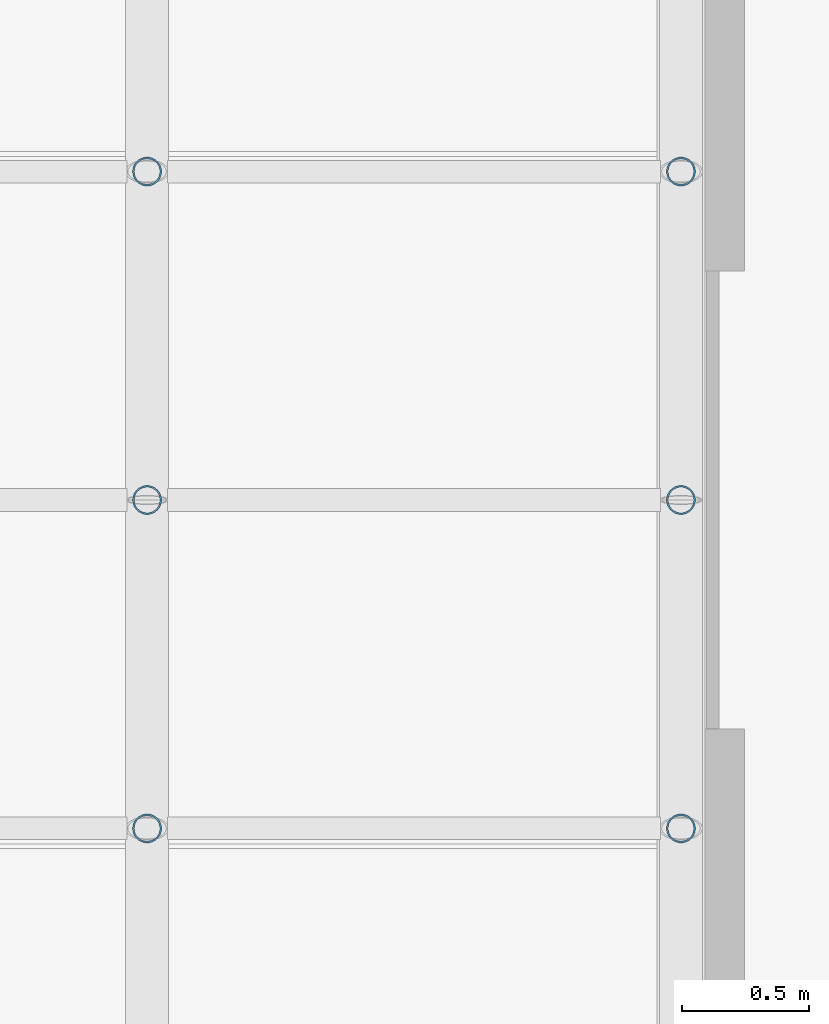
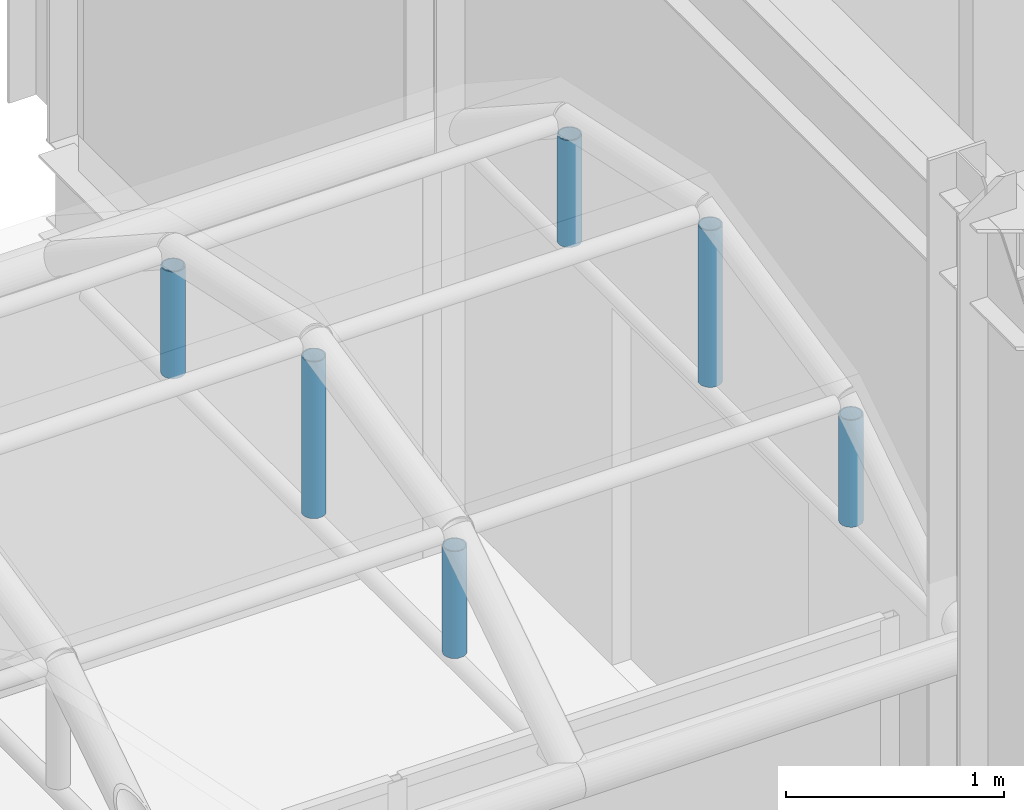
# One storey, part 135 of 167: 6 members.
"""IFC4 building model written with IfcOpenShell, lengths in metres."""

from ifc_helpers import new_model, si_unit, direction, frame, origin, origin_2d, place, context, subcontext, project, spatial, hollow_circle, extrude, material, material_profile, profile_set, type_object, element, save


model = new_model("IFC4")

# Units and contexts
model_context = context("Model", 3, precision=1e-05, world=origin(), true_north=direction((0.0, 1.0)))
body_context = subcontext(model_context, "Body", "Model", "MODEL_VIEW")
ifc_project = project(units=[si_unit("LENGTHUNIT", "METRE"), si_unit("AREAUNIT", "SQUARE_METRE"), si_unit("VOLUMEUNIT", "CUBIC_METRE"), si_unit("PLANEANGLEUNIT", "RADIAN"), si_unit("MASSUNIT", "GRAM", prefix="KILO")], contexts=[model_context])

# Site, building, storey
site_placement = place(None, origin())
site = spatial("IfcSite", under=ifc_project, at=site_placement, CompositionType="ELEMENT")
building_placement = place(site_placement, origin())
building = spatial("IfcBuilding", under=site, at=building_placement, Name="Catenary Quay Ferry Terminal", CompositionType="ELEMENT")
storey_placement = place(building_placement, frame((0.0, 0.0, 6.0)))
storey = spatial("IfcBuildingStorey", under=building, at=storey_placement, Name="L01", CompositionType="ELEMENT", Elevation=6.0)

# Members
ifc_material = material(Name="Steel S355", Category="steel")
ifc_material_profile = material_profile(ifc_material, hollow_circle(Radius=0.05712890625, WallThickness=0.00634765625, at=origin_2d()), Name="CHS 114.3x6.3")
ifc_profile_set = profile_set([ifc_material_profile], Name="Steel S355")
member_type = type_object("IfcMemberType", Name="HG1 CHS 114.3x6.3", PredefinedType="POST", material=ifc_profile_set)
member_1_placement = place(storey_placement, frame((123.89990234375, 74.30810546875, 2.14208984375), z_axis=(0.0, 0.0, 1.0), x_axis=(1.0, 0.0, 0.0)))
element("IfcMember", 1, at=member_1_placement, inside=storey, type_object=member_type, Name="Hanger RB1-16-01", PredefinedType="POST", context=body_context, shape_type="SweptSolid", body=[
    extrude(hollow_circle(Radius=0.05712890625, WallThickness=0.00634765625, at=origin_2d()), origin(), (0.0, 0.0, 1.0), 0.598876953125),
])
member_2_placement = place(storey_placement, frame((123.89990234375, 75.60009765625, 2.14208984375), z_axis=(0.0, 0.0, 1.0), x_axis=(1.0, 0.0, 0.0)))
element("IfcMember", 2, at=member_2_placement, inside=storey, type_object=member_type, Name="Hanger RB1-16-02", PredefinedType="POST", context=body_context, shape_type="SweptSolid", body=[
    extrude(hollow_circle(Radius=0.05712890625, WallThickness=0.00634765625, at=origin_2d()), origin(), (0.0, 0.0, 1.0), 0.8779296875),
])
for number, where, z_axis, x_axis, name in (
    (3, (123.89990234375, 76.89208984375, 2.14208984375), (0.0, 0.0, 1.0), (1.0, 0.0, 0.0), "Hanger RB1-16-03"),
    (4, (126.0, 74.30810546875, 2.14208984375), (0.0, 0.0, 1.0), (1.0, 0.0, 0.0), "Hanger RB1-17-01"),
):
    element("IfcMember", number, at=place(storey_placement, frame(where, z_axis=z_axis, x_axis=x_axis)), inside=storey, type_object=member_type, Name=name, PredefinedType="POST", context=body_context, shape_type="SweptSolid", body=[
        extrude(hollow_circle(Radius=0.05712890625, WallThickness=0.00634765625, at=origin_2d()), origin(), (0.0, 0.0, 1.0), 0.598876953125),
    ])
member_3_placement = place(storey_placement, frame((126.0, 75.60009765625, 2.14208984375), z_axis=(0.0, 0.0, 1.0), x_axis=(1.0, 0.0, 0.0)))
element("IfcMember", 5, at=member_3_placement, inside=storey, type_object=member_type, Name="Hanger RB1-17-02", PredefinedType="POST", context=body_context, shape_type="SweptSolid", body=[
    extrude(hollow_circle(Radius=0.05712890625, WallThickness=0.00634765625, at=origin_2d()), origin(), (0.0, 0.0, 1.0), 0.8779296875),
])
member_4_placement = place(storey_placement, frame((126.0, 76.89208984375, 2.14208984375), z_axis=(0.0, 0.0, 1.0), x_axis=(1.0, 0.0, 0.0)))
element("IfcMember", 6, at=member_4_placement, inside=storey, type_object=member_type, Name="Hanger RB1-17-03", PredefinedType="POST", context=body_context, shape_type="SweptSolid", body=[
    extrude(hollow_circle(Radius=0.05712890625, WallThickness=0.00634765625, at=origin_2d()), origin(), (0.0, 0.0, 1.0), 0.598876953125),
])

save(model, "model.ifc")
